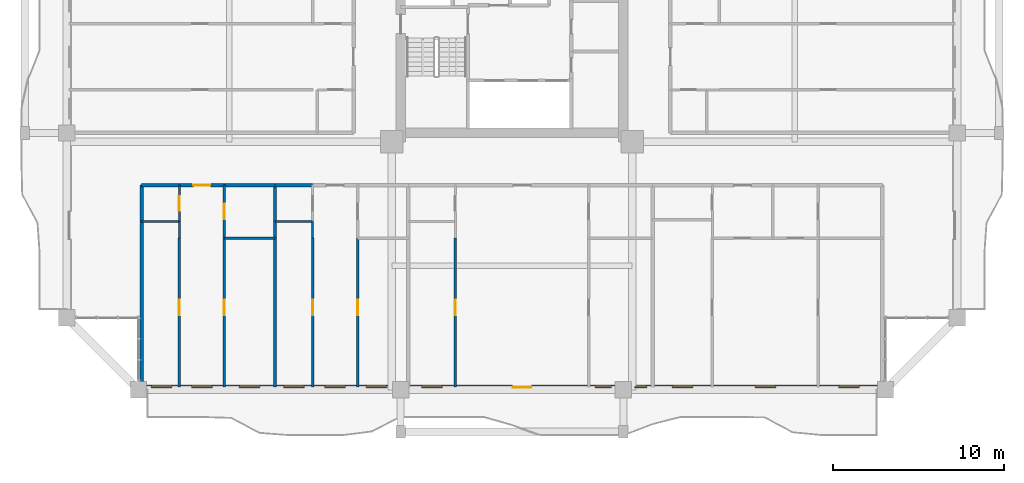
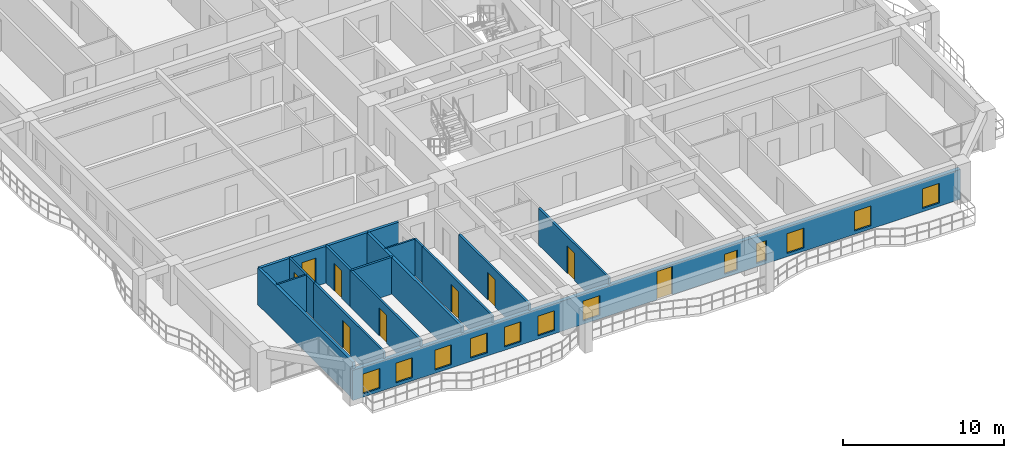
# One storey, part 14 of 25: 19 walls, 12 windows, 9 doors, 21 openings.
"""IFC4 building model written with IfcOpenShell, lengths in metres."""

from ifc_helpers import new_model, si_unit, direction, frame, frame_2d, origin, place, context, subcontext, project, spatial, rectangle, extrude, source, transform, mapped, material, layer, layer_set, type_object, element, fill, save


model = new_model("IFC4")

# Units and contexts
model_context = context("Model", 3, precision=1e-05, world=origin(), true_north=direction((0.0, 1.0)))
body_context = subcontext(model_context, "Body", "Model", "MODEL_VIEW")
ifc_project = project(units=[si_unit("LENGTHUNIT", "METRE"), si_unit("AREAUNIT", "SQUARE_METRE"), si_unit("VOLUMEUNIT", "CUBIC_METRE"), si_unit("PLANEANGLEUNIT", "RADIAN"), si_unit("MASSUNIT", "GRAM", prefix="KILO")], contexts=[model_context])

# Site, building, storey
site_placement = place(None, origin())
site = spatial("IfcSite", under=ifc_project, at=site_placement, CompositionType="ELEMENT")
building_placement = place(site_placement, origin())
building = spatial("IfcBuilding", under=site, at=building_placement, Name="Saelheon Loggia Tower", CompositionType="ELEMENT")
storey_placement = place(building_placement, frame((0.0, 0.0, 80.85009765625)))
storey = spatial("IfcBuildingStorey", under=building, at=storey_placement, Name="L25", CompositionType="ELEMENT", Elevation=80.85009765625)

# Wall, openings, windows, door
ifc_material_1 = material(Name="Architectural Precast Concrete C40/50", Category="concrete")
ifc_layer_1 = layer(ifc_material_1, 0.280029296875)
ifc_layer_set_1 = layer_set([ifc_layer_1], Name="Architectural Precast Concrete C40/50")
wall_type_1 = type_object("IfcWallType", Name="Wall_Ext_Loggia_280", PredefinedType="SOLIDWALL", material=ifc_layer_set_1)
wall_1_placement = place(storey_placement, frame((16.199951171875, 3.139892578125, 0.0), z_axis=(0.0, 0.0, 1.0), x_axis=(1.0, 0.0, 0.0)))
wall_1 = element("IfcWall", 1, at=wall_1_placement, inside=storey, type_object=wall_type_1, Name="L25 South Loggia Inner Wall", PredefinedType="SOLIDWALL", context=body_context, shape_type="SweptSolid", body=[
    extrude(rectangle(XDim=43.60009765625, YDim=0.280029296875, at=frame_2d((21.800048828125, 0.0))), origin(), (0.0, 0.0, 1.0), 2.27978515625),
])
opening_1_placement = place(wall_1_placement, frame((0.74755859375, 0.0, 0.25)))
opening_1 = element("IfcOpeningElement", 2, at=opening_1_placement, cuts=wall_1, Name="Opening WN-03", PredefinedType="OPENING", context=body_context, shape_type="SweptSolid", body=[
    extrude(rectangle(XDim=1.199951171875, YDim=1.5, at=frame_2d((0.60009765625, 0.75))), frame((0.0, 0.152099609375, 0.0), z_axis=(0.0, -1.0, 0.0), x_axis=(1.0, 0.0, 0.0)), (0.0, 0.0, 1.0), 0.303955078125),
])
opening_2_placement = place(wall_1_placement, frame((3.0927734375, 0.0, 0.25)))
opening_2 = element("IfcOpeningElement", 3, at=opening_2_placement, cuts=wall_1, Name="Opening WN-03", PredefinedType="OPENING", context=body_context, shape_type="SweptSolid", body=[
    extrude(rectangle(XDim=1.199951171875, YDim=1.5, at=frame_2d((0.60009765625, 0.75))), frame((0.0, 0.152099609375, 0.0), z_axis=(0.0, -1.0, 0.0), x_axis=(1.0, 0.0, 0.0)), (0.0, 0.0, 1.0), 0.303955078125),
])
opening_3_placement = place(wall_1_placement, frame((5.884521484375, 0.0, 0.25)))
opening_3 = element("IfcOpeningElement", 4, at=opening_3_placement, cuts=wall_1, Name="Opening WN-03", PredefinedType="OPENING", context=body_context, shape_type="SweptSolid", body=[
    extrude(rectangle(XDim=1.199951171875, YDim=1.5, at=frame_2d((0.60009765625, 0.75))), frame((0.0, 0.152099609375, 0.0), z_axis=(0.0, -1.0, 0.0), x_axis=(1.0, 0.0, 0.0)), (0.0, 0.0, 1.0), 0.303955078125),
])
opening_4_placement = place(wall_1_placement, frame((8.463134765625, 0.0, 0.25)))
opening_4 = element("IfcOpeningElement", 5, at=opening_4_placement, cuts=wall_1, Name="Opening WN-03", PredefinedType="OPENING", context=body_context, shape_type="SweptSolid", body=[
    extrude(rectangle(XDim=1.199951171875, YDim=1.5, at=frame_2d((0.60009765625, 0.75))), frame((0.0, 0.152099609375, 0.0), z_axis=(0.0, -1.0, 0.0), x_axis=(1.0, 0.0, 0.0)), (0.0, 0.0, 1.0), 0.303955078125),
])
opening_5_placement = place(wall_1_placement, frame((10.8759765625, 0.0, 0.25)))
opening_5 = element("IfcOpeningElement", 6, at=opening_5_placement, cuts=wall_1, Name="Opening WN-03", PredefinedType="OPENING", context=body_context, shape_type="SweptSolid", body=[
    extrude(rectangle(XDim=1.199951171875, YDim=1.5, at=frame_2d((0.60009765625, 0.75))), frame((0.0, 0.152099609375, 0.0), z_axis=(0.0, -1.0, 0.0), x_axis=(1.0, 0.0, 0.0)), (0.0, 0.0, 1.0), 0.303955078125),
])
opening_6_placement = place(wall_1_placement, frame((13.286865234375, 0.0, 0.25)))
opening_6 = element("IfcOpeningElement", 7, at=opening_6_placement, cuts=wall_1, Name="Opening WN-03", PredefinedType="OPENING", context=body_context, shape_type="SweptSolid", body=[
    extrude(rectangle(XDim=1.199951171875, YDim=1.5, at=frame_2d((0.60009765625, 0.75))), frame((0.0, 0.152099609375, 0.0), z_axis=(0.0, -1.0, 0.0), x_axis=(1.0, 0.0, 0.0)), (0.0, 0.0, 1.0), 0.303955078125),
])
opening_7_placement = place(wall_1_placement, frame((16.521484375, 0.0, 0.25)))
opening_7 = element("IfcOpeningElement", 8, at=opening_7_placement, cuts=wall_1, Name="Opening WN-03", PredefinedType="OPENING", context=body_context, shape_type="SweptSolid", body=[
    extrude(rectangle(XDim=1.199951171875, YDim=1.5, at=frame_2d((0.60009765625, 0.75))), frame((0.0, 0.152099609375, 0.0), z_axis=(0.0, -1.0, 0.0), x_axis=(1.0, 0.0, 0.0)), (0.0, 0.0, 1.0), 0.303955078125),
])
opening_8_placement = place(wall_1_placement, frame((22.938232421875, 0.0, 0.0), z_axis=(0.0, 0.0, 1.0), x_axis=(-1.0, 0.0, 0.0)))
opening_8 = element("IfcOpeningElement", 9, at=opening_8_placement, cuts=wall_1, Name="Opening TD1", PredefinedType="OPENING", context=body_context, shape_type="SweptSolid", body=[
    extrude(rectangle(XDim=1.10009765625, YDim=2.14990234375, at=frame_2d((0.550048828125, 1.074951171875))), frame((0.0, 0.152099609375, 0.0), z_axis=(0.0, -1.0, 0.0), x_axis=(1.0, 0.0, 0.0)), (0.0, 0.0, 1.0), 0.303955078125),
])
opening_9_placement = place(wall_1_placement, frame((26.657470703125, 0.0, 0.25)))
opening_9 = element("IfcOpeningElement", 10, at=opening_9_placement, cuts=wall_1, Name="Opening WN-04", PredefinedType="OPENING", context=body_context, shape_type="SweptSolid", body=[
    extrude(rectangle(XDim=0.949951171875, YDim=1.5, at=frame_2d((0.47509765625, 0.75))), frame((0.0, 0.152099609375, 0.0), z_axis=(0.0, -1.0, 0.0), x_axis=(1.0, 0.0, 0.0)), (0.0, 0.0, 1.0), 0.303955078125),
])
opening_10_placement = place(wall_1_placement, frame((28.96533203125, 0.0, 0.25)))
opening_10 = element("IfcOpeningElement", 11, at=opening_10_placement, cuts=wall_1, Name="Opening WN-06", PredefinedType="OPENING", context=body_context, shape_type="SweptSolid", body=[
    extrude(rectangle(XDim=0.699951171875, YDim=1.5, at=frame_2d((0.35009765625, 0.75))), frame((0.0, 0.152099609375, 0.0), z_axis=(0.0, -1.0, 0.0), x_axis=(1.0, 0.0, 0.0)), (0.0, 0.0, 1.0), 0.303955078125),
])
opening_11_placement = place(wall_1_placement, frame((31.158203125, 0.0, 0.25)))
opening_11 = element("IfcOpeningElement", 12, at=opening_11_placement, cuts=wall_1, Name="Opening WN-03", PredefinedType="OPENING", context=body_context, shape_type="SweptSolid", body=[
    extrude(rectangle(XDim=1.199951171875, YDim=1.5, at=frame_2d((0.60009765625, 0.75))), frame((0.0, 0.152099609375, 0.0), z_axis=(0.0, -1.0, 0.0), x_axis=(1.0, 0.0, 0.0)), (0.0, 0.0, 1.0), 0.303955078125),
])
opening_12_placement = place(wall_1_placement, frame((35.992431640625, 0.0, 0.25)))
opening_12 = element("IfcOpeningElement", 13, at=opening_12_placement, cuts=wall_1, Name="Opening WN-03", PredefinedType="OPENING", context=body_context, shape_type="SweptSolid", body=[
    extrude(rectangle(XDim=1.199951171875, YDim=1.5, at=frame_2d((0.60009765625, 0.75))), frame((0.0, 0.152099609375, 0.0), z_axis=(0.0, -1.0, 0.0), x_axis=(1.0, 0.0, 0.0)), (0.0, 0.0, 1.0), 0.303955078125),
])
opening_13_placement = place(wall_1_placement, frame((40.884765625, 0.0, 0.25)))
opening_13 = element("IfcOpeningElement", 14, at=opening_13_placement, cuts=wall_1, Name="Opening WN-03", PredefinedType="OPENING", context=body_context, shape_type="SweptSolid", body=[
    extrude(rectangle(XDim=1.199951171875, YDim=1.5, at=frame_2d((0.60009765625, 0.75))), frame((0.0, 0.152099609375, 0.0), z_axis=(0.0, -1.0, 0.0), x_axis=(1.0, 0.0, 0.0)), (0.0, 0.0, 1.0), 0.303955078125),
])
ifc_material_2 = material(Name="Thermal-Break Aluminium and Triple Low-E Glass", Category="aluminium")
window_type_1 = type_object("IfcWindowType", Name="Win_Slot_700x1500", PartitioningType="SINGLE_PANEL", PredefinedType="WINDOW", material=ifc_material_2)
shared_shape_1 = source(origin(), body_context, "Body", "SweptSolid", [
    extrude(rectangle(XDim=0.699951171875, YDim=1.5, at=frame_2d((0.35009765625, 0.75))), frame((0.0, 0.030029296875, 0.0), z_axis=(0.0, -1.0, 0.0), x_axis=(1.0, 0.0, 0.0)), (0.0, 0.0, 1.0), 0.06005859375),
])
window_1_placement = place(opening_10_placement, origin())
window_1 = element("IfcWindow", 15, at=window_1_placement, inside=storey, type_object=window_type_1, Name="L25 S Dwelling Window 10", OverallHeight=1.5, OverallWidth=0.699951171875, PartitioningType="SINGLE_PANEL", PredefinedType="WINDOW", context=body_context, shape_type="MappedRepresentation", body=[
    mapped(shared_shape_1, transform((0.0, 0.0, 0.0), scale=1.0)),
])
fill(opening_10, window_1)
window_type_2 = type_object("IfcWindowType", Name="Win_Bedroom_1200x1500", PartitioningType="SINGLE_PANEL", PredefinedType="WINDOW", material=ifc_material_2)
shared_shape_2 = source(origin(), body_context, "Body", "SweptSolid", [
    extrude(rectangle(XDim=1.199951171875, YDim=1.5, at=frame_2d((0.60009765625, 0.75))), frame((0.0, 0.030029296875, 0.0), z_axis=(0.0, -1.0, 0.0), x_axis=(1.0, 0.0, 0.0)), (0.0, 0.0, 1.0), 0.06005859375),
])
window_2_placement = place(opening_1_placement, origin())
window_2 = element("IfcWindow", 16, at=window_2_placement, inside=storey, type_object=window_type_2, Name="L25 S Dwelling Window 1", OverallHeight=1.5, OverallWidth=1.199951171875, PartitioningType="SINGLE_PANEL", PredefinedType="WINDOW", context=body_context, shape_type="MappedRepresentation", body=[
    mapped(shared_shape_2, transform((0.0, 0.0, 0.0), scale=1.0)),
])
fill(opening_1, window_2)
window_3_placement = place(opening_2_placement, origin())
window_3 = element("IfcWindow", 17, at=window_3_placement, inside=storey, type_object=window_type_2, Name="L25 S Dwelling Window 2", OverallHeight=1.5, OverallWidth=1.199951171875, PartitioningType="SINGLE_PANEL", PredefinedType="WINDOW", context=body_context, shape_type="MappedRepresentation", body=[
    mapped(shared_shape_2, transform((0.0, 0.0, 0.0), scale=1.0)),
])
fill(opening_2, window_3)
window_4_placement = place(opening_3_placement, origin())
window_4 = element("IfcWindow", 18, at=window_4_placement, inside=storey, type_object=window_type_2, Name="L25 S Dwelling Window 3", OverallHeight=1.5, OverallWidth=1.199951171875, PartitioningType="SINGLE_PANEL", PredefinedType="WINDOW", context=body_context, shape_type="MappedRepresentation", body=[
    mapped(shared_shape_2, transform((0.0, 0.0, 0.0), scale=1.0)),
])
fill(opening_3, window_4)
window_5_placement = place(opening_4_placement, origin())
window_5 = element("IfcWindow", 19, at=window_5_placement, inside=storey, type_object=window_type_2, Name="L25 S Dwelling Window 4", OverallHeight=1.5, OverallWidth=1.199951171875, PartitioningType="SINGLE_PANEL", PredefinedType="WINDOW", context=body_context, shape_type="MappedRepresentation", body=[
    mapped(shared_shape_2, transform((0.0, 0.0, 0.0), scale=1.0)),
])
fill(opening_4, window_5)
window_6_placement = place(opening_5_placement, origin())
window_6 = element("IfcWindow", 20, at=window_6_placement, inside=storey, type_object=window_type_2, Name="L25 S Dwelling Window 5", OverallHeight=1.5, OverallWidth=1.199951171875, PartitioningType="SINGLE_PANEL", PredefinedType="WINDOW", context=body_context, shape_type="MappedRepresentation", body=[
    mapped(shared_shape_2, transform((0.0, 0.0, 0.0), scale=1.0)),
])
fill(opening_5, window_6)
window_7_placement = place(opening_6_placement, origin())
window_7 = element("IfcWindow", 21, at=window_7_placement, inside=storey, type_object=window_type_2, Name="L25 S Dwelling Window 6", OverallHeight=1.5, OverallWidth=1.199951171875, PartitioningType="SINGLE_PANEL", PredefinedType="WINDOW", context=body_context, shape_type="MappedRepresentation", body=[
    mapped(shared_shape_2, transform((0.0, 0.0, 0.0), scale=1.0)),
])
fill(opening_6, window_7)
window_8_placement = place(opening_7_placement, origin())
window_8 = element("IfcWindow", 22, at=window_8_placement, inside=storey, type_object=window_type_2, Name="L25 S Dwelling Window 7", OverallHeight=1.5, OverallWidth=1.199951171875, PartitioningType="SINGLE_PANEL", PredefinedType="WINDOW", context=body_context, shape_type="MappedRepresentation", body=[
    mapped(shared_shape_2, transform((0.0, 0.0, 0.0), scale=1.0)),
])
fill(opening_7, window_8)
window_9_placement = place(opening_11_placement, origin())
window_9 = element("IfcWindow", 23, at=window_9_placement, inside=storey, type_object=window_type_2, Name="L25 S Dwelling Window 11", OverallHeight=1.5, OverallWidth=1.199951171875, PartitioningType="SINGLE_PANEL", PredefinedType="WINDOW", context=body_context, shape_type="MappedRepresentation", body=[
    mapped(shared_shape_2, transform((0.0, 0.0, 0.0), scale=1.0)),
])
fill(opening_11, window_9)
window_10_placement = place(opening_12_placement, origin())
window_10 = element("IfcWindow", 24, at=window_10_placement, inside=storey, type_object=window_type_2, Name="L25 S Dwelling Window 12", OverallHeight=1.5, OverallWidth=1.199951171875, PartitioningType="SINGLE_PANEL", PredefinedType="WINDOW", context=body_context, shape_type="MappedRepresentation", body=[
    mapped(shared_shape_2, transform((0.0, 0.0, 0.0), scale=1.0)),
])
fill(opening_12, window_10)
window_11_placement = place(opening_13_placement, origin())
window_11 = element("IfcWindow", 25, at=window_11_placement, inside=storey, type_object=window_type_2, Name="L25 S Dwelling Window 13", OverallHeight=1.5, OverallWidth=1.199951171875, PartitioningType="SINGLE_PANEL", PredefinedType="WINDOW", context=body_context, shape_type="MappedRepresentation", body=[
    mapped(shared_shape_2, transform((0.0, 0.0, 0.0), scale=1.0)),
])
fill(opening_13, window_11)
ifc_material_3 = material(Name="Thermal-Break Aluminium Glazed Door", Category="aluminium")
door_type_1 = type_object("IfcDoorType", Name="Door_Terrace_TD1", OperationType="NOTDEFINED", PredefinedType="DOOR", material=ifc_material_3)
shared_shape_3 = source(origin(), body_context, "Body", "SweptSolid", [
    extrude(rectangle(XDim=1.10009765625, YDim=2.14990234375, at=frame_2d((0.550048828125, 1.074951171875))), frame((0.0, 0.02490234375, 0.0), z_axis=(0.0, -1.0, 0.0), x_axis=(1.0, 0.0, 0.0)), (0.0, 0.0, 1.0), 0.050048828125),
])
door_1_placement = place(opening_8_placement, origin())
door_1 = element("IfcDoor", 26, at=door_1_placement, inside=storey, type_object=door_type_1, Name="L25 S Loggia Access Door", OperationType="SINGLE_SWING_RIGHT", OverallHeight=2.14990234375, OverallWidth=1.10009765625, PredefinedType="DOOR", context=body_context, shape_type="MappedRepresentation", body=[
    mapped(shared_shape_3, transform((0.0, 0.0, 0.0), scale=1.0)),
])
fill(opening_8, door_1)
window_type_3 = type_object("IfcWindowType", Name="Win_Narrow_950x1500", PartitioningType="SINGLE_PANEL", PredefinedType="WINDOW", material=ifc_material_2)
shared_shape_4 = source(origin(), body_context, "Body", "SweptSolid", [
    extrude(rectangle(XDim=0.949951171875, YDim=1.5, at=frame_2d((0.47509765625, 0.75))), frame((0.0, 0.030029296875, 0.0), z_axis=(0.0, -1.0, 0.0), x_axis=(1.0, 0.0, 0.0)), (0.0, 0.0, 1.0), 0.06005859375),
])
window_12_placement = place(opening_9_placement, origin())
window_12 = element("IfcWindow", 27, at=window_12_placement, inside=storey, type_object=window_type_3, Name="L25 S Dwelling Window 9", OverallHeight=1.5, OverallWidth=0.949951171875, PartitioningType="SINGLE_PANEL", PredefinedType="WINDOW", context=body_context, shape_type="MappedRepresentation", body=[
    mapped(shared_shape_4, transform((0.0, 0.0, 0.0), scale=1.0)),
])
fill(opening_9, window_12)

# Wall
ifc_material_4 = material(Name="Lightweight Autoclaved Aerated Concrete Block and Acoustic Gypsum", Category="concrete")
ifc_layer_2 = layer(ifc_material_4, 0.14990234375)
ifc_layer_set_2 = layer_set([ifc_layer_2], Name="Lightweight Autoclaved Aerated Concrete Block and Acoustic Gypsum")
wall_type_2 = type_object("IfcWallType", Name="Wall_Part_150", PredefinedType="PARTITIONING", material=ifc_layer_set_2)
wall_2_placement = place(storey_placement, frame((21.20556640625, 11.85009765625, 0.0), z_axis=(0.0, 0.0, 1.0), x_axis=(1.0, 0.0, 0.0)))
element("IfcWall", 28, at=wall_2_placement, inside=storey, type_object=wall_type_2, Name="L25 S Partition V07", PredefinedType="PARTITIONING", context=body_context, shape_type="SweptSolid", body=[
    extrude(rectangle(XDim=2.95751953125, YDim=0.14990234375, at=frame_2d((1.478759765625, 0.0))), origin(), (0.0, 0.0, 1.0), 2.789794921875),
])

# Wall, opening, door
wall_3_placement = place(storey_placement, frame((18.580078125, 11.85009765625, 0.0), z_axis=(0.0, 0.0, 1.0), x_axis=(0.0, -1.0, 0.0)))
wall_3 = element("IfcWall", 29, at=wall_3_placement, inside=storey, type_object=wall_type_2, Name="L25 S Partition U10", PredefinedType="PARTITIONING", context=body_context, shape_type="SweptSolid", body=[
    extrude(rectangle(XDim=8.7001953125, YDim=0.14990234375, at=frame_2d((4.35009765625, 0.0))), origin(), (0.0, 0.0, 1.0), 2.789794921875),
])
opening_14_placement = place(wall_3_placement, frame((3.594970703125, 0.0, 0.0)))
opening_14 = element("IfcOpeningElement", 30, at=opening_14_placement, cuts=wall_3, Name="Opening D-IN2", PredefinedType="OPENING", context=body_context, shape_type="SweptSolid", body=[
    extrude(rectangle(XDim=0.89990234375, YDim=2.10009765625, at=frame_2d((0.449951171875, 1.050048828125))), frame((0.0, 0.0869140625, 0.0), z_axis=(0.0, -1.0, 0.0), x_axis=(1.0, 0.0, 0.0)), (0.0, 0.0, 1.0), 0.173828125),
])
ifc_material_5 = material(Name="Engineered Oak Flush Door", Category="timber")
door_type_2 = type_object("IfcDoorType", Name="Door_Int_900", OperationType="NOTDEFINED", PredefinedType="DOOR", material=ifc_material_5)
shared_shape_5 = source(origin(), body_context, "Body", "SweptSolid", [
    extrude(rectangle(XDim=0.89990234375, YDim=2.10009765625, at=frame_2d((0.449951171875, 1.050048828125))), frame((0.0, 0.02490234375, 0.0), z_axis=(0.0, -1.0, 0.0), x_axis=(1.0, 0.0, 0.0)), (0.0, 0.0, 1.0), 0.050048828125),
])
door_2_placement = place(opening_14_placement, origin())
door_2 = element("IfcDoor", 31, at=door_2_placement, inside=storey, type_object=door_type_2, Name="Unit U01 Kitchen Door", OperationType="SINGLE_SWING_LEFT", OverallHeight=2.10009765625, OverallWidth=0.89990234375, PredefinedType="DOOR", context=body_context, shape_type="MappedRepresentation", body=[
    mapped(shared_shape_5, transform((0.0, 0.0, 0.0), scale=1.0)),
])
fill(opening_14, door_2)

wall_4_placement = place(storey_placement, frame((21.20556640625, 14.949951171875, 0.0), z_axis=(0.0, 0.0, 1.0), x_axis=(0.0, -1.0, 0.0)))
wall_4 = element("IfcWall", 32, at=wall_4_placement, inside=storey, type_object=wall_type_2, Name="L25 S Partition U11", PredefinedType="PARTITIONING", context=body_context, shape_type="SweptSolid", body=[
    extrude(rectangle(XDim=3.099853515625, YDim=0.14990234375, at=frame_2d((1.5498046875, 0.0))), origin(), (0.0, 0.0, 1.0), 2.789794921875),
])
opening_15_placement = place(wall_4_placement, frame((1.10009765625, 0.0, 0.0)))
opening_15 = element("IfcOpeningElement", 33, at=opening_15_placement, cuts=wall_4, Name="Opening D-IN2", PredefinedType="OPENING", context=body_context, shape_type="SweptSolid", body=[
    extrude(rectangle(XDim=0.89990234375, YDim=2.10009765625, at=frame_2d((0.449951171875, 1.050048828125))), frame((0.0, 0.0869140625, 0.0), z_axis=(0.0, -1.0, 0.0), x_axis=(1.0, 0.0, 0.0)), (0.0, 0.0, 1.0), 0.173828125),
])
door_3_placement = place(opening_15_placement, origin())
door_3 = element("IfcDoor", 34, at=door_3_placement, inside=storey, type_object=door_type_2, Name="Unit U01 Dressing Closet Door", OperationType="SINGLE_SWING_RIGHT", OverallHeight=2.10009765625, OverallWidth=0.89990234375, PredefinedType="DOOR", context=body_context, shape_type="MappedRepresentation", body=[
    mapped(shared_shape_5, transform((0.0, 0.0, 0.0), scale=1.0)),
])
fill(opening_15, door_3)

wall_5_placement = place(storey_placement, frame((21.20556640625, 11.85009765625, 0.0), z_axis=(0.0, 0.0, 1.0), x_axis=(0.0, -1.0, 0.0)))
wall_5 = element("IfcWall", 35, at=wall_5_placement, inside=storey, type_object=wall_type_2, Name="L25 S Partition U12", PredefinedType="PARTITIONING", context=body_context, shape_type="SweptSolid", body=[
    extrude(rectangle(XDim=8.7001953125, YDim=0.14990234375, at=frame_2d((4.35009765625, 0.0))), origin(), (0.0, 0.0, 1.0), 2.789794921875),
])
opening_16_placement = place(wall_5_placement, frame((3.594970703125, 0.0, 0.0)))
opening_16 = element("IfcOpeningElement", 36, at=opening_16_placement, cuts=wall_5, Name="Opening D-IN2", PredefinedType="OPENING", context=body_context, shape_type="SweptSolid", body=[
    extrude(rectangle(XDim=0.89990234375, YDim=2.10009765625, at=frame_2d((0.449951171875, 1.050048828125))), frame((0.0, 0.0869140625, 0.0), z_axis=(0.0, -1.0, 0.0), x_axis=(1.0, 0.0, 0.0)), (0.0, 0.0, 1.0), 0.173828125),
])
door_4_placement = place(opening_16_placement, origin())
door_4 = element("IfcDoor", 37, at=door_4_placement, inside=storey, type_object=door_type_2, Name="Unit U01 Bedroom 1 Door", OperationType="SINGLE_SWING_LEFT", OverallHeight=2.10009765625, OverallWidth=0.89990234375, PredefinedType="DOOR", context=body_context, shape_type="MappedRepresentation", body=[
    mapped(shared_shape_5, transform((0.0, 0.0, 0.0), scale=1.0)),
])
fill(opening_16, door_4)

wall_6_placement = place(storey_placement, frame((26.36328125, 11.85009765625, 0.0), z_axis=(0.0, 0.0, 1.0), x_axis=(0.0, -1.0, 0.0)))
wall_6 = element("IfcWall", 38, at=wall_6_placement, inside=storey, type_object=wall_type_2, Name="L25 S Partition U21", PredefinedType="PARTITIONING", context=body_context, shape_type="SweptSolid", body=[
    extrude(rectangle(XDim=8.7001953125, YDim=0.14990234375, at=frame_2d((4.35009765625, 0.0))), origin(), (0.0, 0.0, 1.0), 2.789794921875),
])
opening_17_placement = place(wall_6_placement, frame((3.594970703125, 0.0, 0.0)))
opening_17 = element("IfcOpeningElement", 39, at=opening_17_placement, cuts=wall_6, Name="Opening D-IN2", PredefinedType="OPENING", context=body_context, shape_type="SweptSolid", body=[
    extrude(rectangle(XDim=0.89990234375, YDim=2.10009765625, at=frame_2d((0.449951171875, 1.050048828125))), frame((0.0, 0.0869140625, 0.0), z_axis=(0.0, -1.0, 0.0), x_axis=(1.0, 0.0, 0.0)), (0.0, 0.0, 1.0), 0.173828125),
])
door_5_placement = place(opening_17_placement, origin())
door_5 = element("IfcDoor", 40, at=door_5_placement, inside=storey, type_object=door_type_2, Name="Unit U02 Kitchen Door", OperationType="SINGLE_SWING_RIGHT", OverallHeight=2.10009765625, OverallWidth=0.89990234375, PredefinedType="DOOR", context=body_context, shape_type="MappedRepresentation", body=[
    mapped(shared_shape_5, transform((0.0, 0.0, 0.0), scale=1.0)),
])
fill(opening_17, door_5)

wall_7_placement = place(storey_placement, frame((28.98876953125, 11.85009765625, 0.0), z_axis=(0.0, 0.0, 1.0), x_axis=(0.0, -1.0, 0.0)))
wall_7 = element("IfcWall", 41, at=wall_7_placement, inside=storey, type_object=wall_type_2, Name="L25 S Partition U23", PredefinedType="PARTITIONING", context=body_context, shape_type="SweptSolid", body=[
    extrude(rectangle(XDim=8.7001953125, YDim=0.14990234375, at=frame_2d((4.35009765625, 0.0))), origin(), (0.0, 0.0, 1.0), 2.789794921875),
])
opening_18_placement = place(wall_7_placement, frame((3.594970703125, 0.0, 0.0)))
opening_18 = element("IfcOpeningElement", 42, at=opening_18_placement, cuts=wall_7, Name="Opening D-IN2", PredefinedType="OPENING", context=body_context, shape_type="SweptSolid", body=[
    extrude(rectangle(XDim=0.89990234375, YDim=2.10009765625, at=frame_2d((0.449951171875, 1.050048828125))), frame((0.0, 0.0869140625, 0.0), z_axis=(0.0, -1.0, 0.0), x_axis=(1.0, 0.0, 0.0)), (0.0, 0.0, 1.0), 0.173828125),
])
door_6_placement = place(opening_18_placement, origin())
door_6 = element("IfcDoor", 43, at=door_6_placement, inside=storey, type_object=door_type_2, Name="Unit U02 Bedroom 1 Door", OperationType="SINGLE_SWING_RIGHT", OverallHeight=2.10009765625, OverallWidth=0.89990234375, PredefinedType="DOOR", context=body_context, shape_type="MappedRepresentation", body=[
    mapped(shared_shape_5, transform((0.0, 0.0, 0.0), scale=1.0)),
])
fill(opening_18, door_6)

wall_8_placement = place(storey_placement, frame((34.6962890625, 11.85009765625, 0.0), z_axis=(0.0, 0.0, 1.0), x_axis=(0.0, -1.0, 0.0)))
wall_8 = element("IfcWall", 44, at=wall_8_placement, inside=storey, type_object=wall_type_2, Name="L25 S Partition U32", PredefinedType="PARTITIONING", context=body_context, shape_type="SweptSolid", body=[
    extrude(rectangle(XDim=8.7001953125, YDim=0.14990234375, at=frame_2d((4.35009765625, 0.0))), origin(), (0.0, 0.0, 1.0), 2.789794921875),
])
opening_19_placement = place(wall_8_placement, frame((3.594970703125, 0.0, 0.0)))
opening_19 = element("IfcOpeningElement", 45, at=opening_19_placement, cuts=wall_8, Name="Opening D-IN2", PredefinedType="OPENING", context=body_context, shape_type="SweptSolid", body=[
    extrude(rectangle(XDim=0.89990234375, YDim=2.10009765625, at=frame_2d((0.449951171875, 1.050048828125))), frame((0.0, 0.0869140625, 0.0), z_axis=(0.0, -1.0, 0.0), x_axis=(1.0, 0.0, 0.0)), (0.0, 0.0, 1.0), 0.173828125),
])
door_7_placement = place(opening_19_placement, origin())
door_7 = element("IfcDoor", 46, at=door_7_placement, inside=storey, type_object=door_type_2, Name="Unit U03 Kitchen Door", OperationType="SINGLE_SWING_LEFT", OverallHeight=2.10009765625, OverallWidth=0.89990234375, PredefinedType="DOOR", context=body_context, shape_type="MappedRepresentation", body=[
    mapped(shared_shape_5, transform((0.0, 0.0, 0.0), scale=1.0)),
])
fill(opening_19, door_7)

# Walls
ifc_material_6 = material(Name="Double Acoustic Stud and Fireboard Partition", Category="gypsum")
ifc_layer_3 = layer(ifc_material_6, 0.199951171875)
ifc_layer_set_3 = layer_set([ifc_layer_3], Name="Double Acoustic Stud and Fireboard Partition")
wall_type_3 = type_object("IfcWallType", Name="Wall_Party_200", PredefinedType="PARTITIONING", material=ifc_layer_set_3)
wall_9_placement = place(storey_placement, frame((16.3798828125, 14.949951171875, 0.0), z_axis=(0.0, 0.0, 1.0), x_axis=(0.0, -1.0, 0.0)))
element("IfcWall", 47, at=wall_9_placement, inside=storey, type_object=wall_type_3, Name="L25 S Partition U01", PredefinedType="PARTITIONING", context=body_context, shape_type="SweptSolid", body=[
    extrude(rectangle(XDim=11.800048828125, YDim=0.199951171875, at=frame_2d((5.89990234375, 0.0))), origin(), (0.0, 0.0, 1.0), 2.789794921875),
])
wall_10_placement = place(storey_placement, frame((16.3798828125, 14.949951171875, 0.0), z_axis=(0.0, 0.0, 1.0), x_axis=(1.0, 0.0, 0.0)))
element("IfcWall", 48, at=wall_10_placement, inside=storey, type_object=wall_type_3, Name="L25 S Partition V03", PredefinedType="PARTITIONING", context=body_context, shape_type="SweptSolid", body=[
    extrude(rectangle(XDim=2.2001953125, YDim=0.199951171875, at=frame_2d((1.10009765625, 0.0))), origin(), (0.0, 0.0, 1.0), 2.789794921875),
])

# Wall, opening, door
wall_11_placement = place(storey_placement, frame((18.580078125, 14.949951171875, 0.0), z_axis=(0.0, 0.0, 1.0), x_axis=(1.0, 0.0, 0.0)))
wall_11 = element("IfcWall", 49, at=wall_11_placement, inside=storey, type_object=wall_type_3, Name="L25 S Partition V04", PredefinedType="PARTITIONING", context=body_context, shape_type="SweptSolid", body=[
    extrude(rectangle(XDim=2.62548828125, YDim=0.199951171875, at=frame_2d((1.312744140625, 0.0))), origin(), (0.0, 0.0, 1.0), 2.789794921875),
])
opening_20_placement = place(wall_11_placement, frame((0.812744140625, 0.0, 0.0)))
opening_20 = element("IfcOpeningElement", 50, at=opening_20_placement, cuts=wall_11, Name="Opening D-FD1", PredefinedType="OPENING", context=body_context, shape_type="SweptSolid", body=[
    extrude(rectangle(XDim=1.0, YDim=2.14990234375, at=frame_2d((0.5, 1.074951171875))), frame((0.0, 0.112060546875, 0.0), z_axis=(0.0, -1.0, 0.0), x_axis=(1.0, 0.0, 0.0)), (0.0, 0.0, 1.0), 0.223876953125),
])
ifc_material_7 = material(Name="Fire-Rated Engineered Timber Entrance Door", Category="wood")
door_type_3 = type_object("IfcDoorType", Name="Door_Flat_FD30S", OperationType="NOTDEFINED", PredefinedType="DOOR", material=ifc_material_7)
shared_shape_6 = source(origin(), body_context, "Body", "SweptSolid", [
    extrude(rectangle(XDim=1.0, YDim=2.14990234375, at=frame_2d((0.5, 1.074951171875))), frame((0.0, 0.02490234375, 0.0), z_axis=(0.0, -1.0, 0.0), x_axis=(1.0, 0.0, 0.0)), (0.0, 0.0, 1.0), 0.050048828125),
])
door_8_placement = place(opening_20_placement, origin())
door_8 = element("IfcDoor", 51, at=door_8_placement, inside=storey, type_object=door_type_3, Name="Unit U01 Entrance Door", OperationType="SINGLE_SWING_LEFT", OverallHeight=2.14990234375, OverallWidth=1.0, PredefinedType="DOOR", context=body_context, shape_type="MappedRepresentation", body=[
    mapped(shared_shape_6, transform((0.0, 0.0, 0.0), scale=1.0)),
])
fill(opening_20, door_8)

# Walls
wall_12_placement = place(storey_placement, frame((21.20556640625, 14.949951171875, 0.0), z_axis=(0.0, 0.0, 1.0), x_axis=(1.0, 0.0, 0.0)))
element("IfcWall", 52, at=wall_12_placement, inside=storey, type_object=wall_type_3, Name="L25 S Partition V05", PredefinedType="PARTITIONING", context=body_context, shape_type="SweptSolid", body=[
    extrude(rectangle(XDim=2.95751953125, YDim=0.199951171875, at=frame_2d((1.478759765625, 0.0))), origin(), (0.0, 0.0, 1.0), 2.789794921875),
])
wall_13_placement = place(storey_placement, frame((24.1630859375, 14.949951171875, 0.0), z_axis=(0.0, 0.0, 1.0), x_axis=(0.0, -1.0, 0.0)))
element("IfcWall", 53, at=wall_13_placement, inside=storey, type_object=wall_type_3, Name="L25 S Partition U13", PredefinedType="PARTITIONING", context=body_context, shape_type="SweptSolid", body=[
    extrude(rectangle(XDim=11.800048828125, YDim=0.199951171875, at=frame_2d((5.89990234375, 0.0))), origin(), (0.0, 0.0, 1.0), 2.789794921875),
])
wall_14_placement = place(storey_placement, frame((24.1630859375, 14.949951171875, 0.0), z_axis=(0.0, 0.0, 1.0), x_axis=(1.0, 0.0, 0.0)))
element("IfcWall", 54, at=wall_14_placement, inside=storey, type_object=wall_type_3, Name="L25 S Partition V14", PredefinedType="PARTITIONING", context=body_context, shape_type="SweptSolid", body=[
    extrude(rectangle(XDim=2.2001953125, YDim=0.199951171875, at=frame_2d((1.10009765625, 0.0))), origin(), (0.0, 0.0, 1.0), 2.789794921875),
])
ifc_material_8 = material(Name="Moisture-Resistant Cement Board Partition", Category="gypsum")
ifc_layer_4 = layer(ifc_material_8, 0.1201171875)
ifc_layer_set_4 = layer_set([ifc_layer_4], Name="Moisture-Resistant Cement Board Partition")
wall_type_4 = type_object("IfcWallType", Name="Wall_WetPart_120", PredefinedType="PARTITIONING", material=ifc_layer_set_4)
wall_15_placement = place(storey_placement, frame((16.3798828125, 12.830078125, 0.0), z_axis=(0.0, 0.0, 1.0), x_axis=(1.0, 0.0, 0.0)))
element("IfcWall", 55, at=wall_15_placement, inside=storey, type_object=wall_type_4, Name="L25 S Partition V06", PredefinedType="PARTITIONING", context=body_context, shape_type="SweptSolid", body=[
    extrude(rectangle(XDim=2.2001953125, YDim=0.1201171875, at=frame_2d((1.10009765625, 0.0))), origin(), (0.0, 0.0, 1.0), 2.789794921875),
])

# Wall, opening, door
wall_16_placement = place(storey_placement, frame((18.580078125, 14.949951171875, 0.0), z_axis=(0.0, 0.0, 1.0), x_axis=(0.0, -1.0, 0.0)))
wall_16 = element("IfcWall", 56, at=wall_16_placement, inside=storey, type_object=wall_type_4, Name="L25 S Partition U08", PredefinedType="PARTITIONING", context=body_context, shape_type="SweptSolid", body=[
    extrude(rectangle(XDim=2.119873046875, YDim=0.1201171875, at=frame_2d((1.06005859375, 0.0))), origin(), (0.0, 0.0, 1.0), 2.789794921875),
])
opening_21_placement = place(wall_16_placement, frame((0.635009765625, 0.0, 0.0)))
opening_21 = element("IfcOpeningElement", 57, at=opening_21_placement, cuts=wall_16, Name="Opening D-BT1", PredefinedType="OPENING", context=body_context, shape_type="SweptSolid", body=[
    extrude(rectangle(XDim=0.85009765625, YDim=2.050048828125, at=frame_2d((0.425048828125, 1.02490234375))), frame((0.0, 0.072021484375, 0.0), z_axis=(0.0, -1.0, 0.0), x_axis=(1.0, 0.0, 0.0)), (0.0, 0.0, 1.0), 0.14404296875),
])
ifc_material_9 = material(Name="Moisture-Resistant Laminate Timber Door", Category="wood")
door_type_4 = type_object("IfcDoorType", Name="Door_Bath_850", OperationType="NOTDEFINED", PredefinedType="DOOR", material=ifc_material_9)
shared_shape_7 = source(origin(), body_context, "Body", "SweptSolid", [
    extrude(rectangle(XDim=0.85009765625, YDim=2.050048828125, at=frame_2d((0.425048828125, 1.02490234375))), frame((0.0, 0.02490234375, 0.0), z_axis=(0.0, -1.0, 0.0), x_axis=(1.0, 0.0, 0.0)), (0.0, 0.0, 1.0), 0.050048828125),
])
door_9_placement = place(opening_21_placement, origin())
door_9 = element("IfcDoor", 58, at=door_9_placement, inside=storey, type_object=door_type_4, Name="Unit U01 Bathroom Door", OperationType="SINGLE_SWING_RIGHT", OverallHeight=2.050048828125, OverallWidth=0.85009765625, PredefinedType="DOOR", context=body_context, shape_type="MappedRepresentation", body=[
    mapped(shared_shape_7, transform((0.0, 0.0, 0.0), scale=1.0)),
])
fill(opening_21, door_9)

# Walls
wall_17_placement = place(storey_placement, frame((18.580078125, 12.830078125, 0.0), z_axis=(0.0, 0.0, 1.0), x_axis=(0.0, -1.0, 0.0)))
element("IfcWall", 59, at=wall_17_placement, inside=storey, type_object=wall_type_4, Name="L25 S Partition U09", PredefinedType="PARTITIONING", context=body_context, shape_type="SweptSolid", body=[
    extrude(rectangle(XDim=0.97998046875, YDim=0.1201171875, at=frame_2d((0.489990234375, 0.0))), origin(), (0.0, 0.0, 1.0), 2.789794921875),
])
wall_18_placement = place(storey_placement, frame((24.1630859375, 12.830078125, 0.0), z_axis=(0.0, 0.0, 1.0), x_axis=(1.0, 0.0, 0.0)))
element("IfcWall", 60, at=wall_18_placement, inside=storey, type_object=wall_type_4, Name="L25 S Partition V17", PredefinedType="PARTITIONING", context=body_context, shape_type="SweptSolid", body=[
    extrude(rectangle(XDim=2.2001953125, YDim=0.1201171875, at=frame_2d((1.10009765625, 0.0))), origin(), (0.0, 0.0, 1.0), 2.789794921875),
])
wall_19_placement = place(storey_placement, frame((26.36328125, 12.830078125, 0.0), z_axis=(0.0, 0.0, 1.0), x_axis=(0.0, -1.0, 0.0)))
element("IfcWall", 61, at=wall_19_placement, inside=storey, type_object=wall_type_4, Name="L25 S Partition U20", PredefinedType="PARTITIONING", context=body_context, shape_type="SweptSolid", body=[
    extrude(rectangle(XDim=0.97998046875, YDim=0.1201171875, at=frame_2d((0.489990234375, 0.0))), origin(), (0.0, 0.0, 1.0), 2.789794921875),
])

save(model, "model.ifc")
